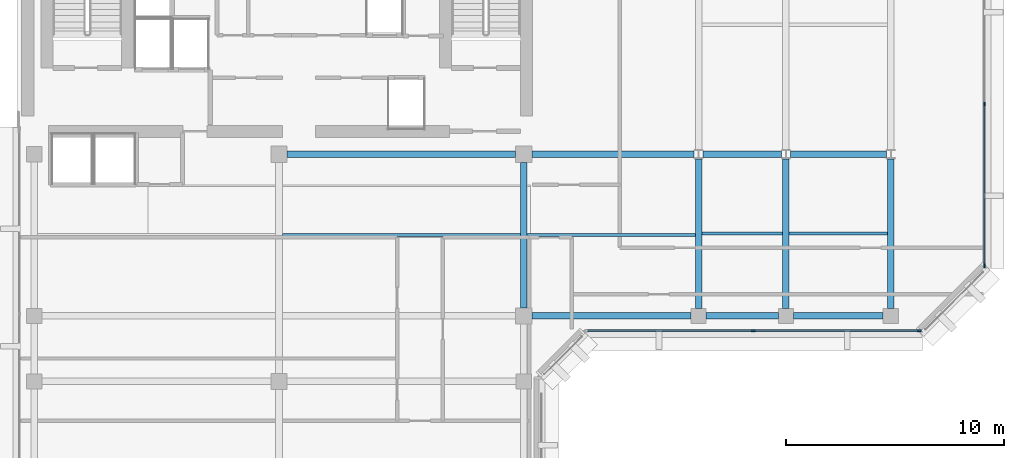
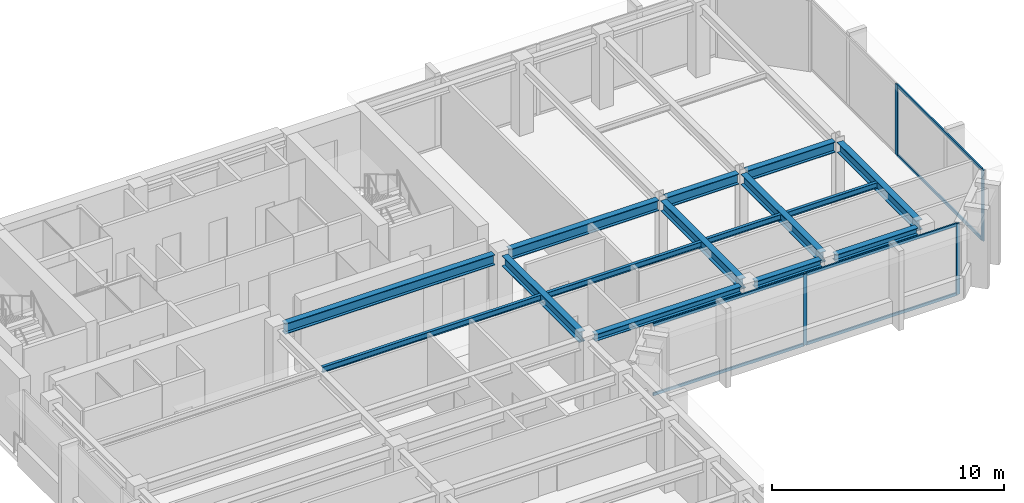
# One storey, part 3 of 11: 15 beams, 10 members, 2 elements without a shape of their own.
"""IFC4 building model written with IfcOpenShell, lengths in metres."""

from ifc_helpers import new_model, si_unit, direction, frame, origin, origin_2d, place, context, subcontext, project, spatial, rectangle, i_section, extrude, material, layer, layer_set, material_profile, profile_set, type_object, element, aggregate, save


model = new_model("IFC4")

# Units and contexts
model_context = context("Model", 3, precision=1e-05, world=origin(), true_north=direction((0.0, 1.0)))
body_context = subcontext(model_context, "Body", "Model", "MODEL_VIEW")
ifc_project = project(units=[si_unit("LENGTHUNIT", "METRE"), si_unit("AREAUNIT", "SQUARE_METRE"), si_unit("VOLUMEUNIT", "CUBIC_METRE"), si_unit("PLANEANGLEUNIT", "RADIAN"), si_unit("MASSUNIT", "GRAM", prefix="KILO")], contexts=[model_context])

# Site, building, storey
site_placement = place(None, origin())
site = spatial("IfcSite", under=ifc_project, at=site_placement, CompositionType="ELEMENT")
building_placement = place(site_placement, origin())
building = spatial("IfcBuilding", under=site, at=building_placement, Name="Kefirva Bronze Tower", CompositionType="ELEMENT")
storey_placement = place(building_placement, frame((0.0, 0.0, 319.77001953125)))
storey = spatial("IfcBuildingStorey", under=building, at=storey_placement, Name="L78", CompositionType="ELEMENT", Elevation=319.77001953125)

# Curtain wall, members
ifc_material_1 = material(Name="Bronze anodised aluminium", Category="aluminium")
ifc_layer = layer(ifc_material_1, 0.179931640625, Name="Bronze anodised aluminium")
ifc_layer_set = layer_set([ifc_layer], Name="Bronze anodised aluminium")
curtain_wall_type = type_object("IfcCurtainWallType", Name="Unitised Bronze Ribbon Curtain Wall Zone 4", PredefinedType="USERDEFINED", material=ifc_layer_set)
curtain_wall_1_placement = place(storey_placement, origin())
curtain_wall_1 = element("IfcCurtainWall", 1, at=curtain_wall_1_placement, inside=storey, type_object=curtain_wall_type, Name="L78 Curtain Wall 2", ObjectType="UNITISED CURTAIN WALL", PredefinedType="USERDEFINED")
ifc_material_profile_1 = material_profile(ifc_material_1, rectangle(XDim=0.074951171875, YDim=0.179931640625, at=origin_2d()), Name="ALU 75x180")
ifc_profile_set_1 = profile_set([ifc_material_profile_1], Name="Bronze anodised aluminium")
member_type_1 = type_object("IfcMemberType", Name="Bronze Mullion 75x180", PredefinedType="MULLION", material=ifc_profile_set_1)
member_1_placement = place(storey_placement, frame((33.699951171875, 25.1201171875, 0.0), z_axis=(0.0, 0.0, 1.0), x_axis=(0.0, 1.0, 0.0)))
member_1 = element("IfcMember", 2, at=member_1_placement, type_object=member_type_1, Name="CW-04 mullion 2", PredefinedType="MULLION", context=body_context, shape_type="SweptSolid", body=[
    extrude(rectangle(XDim=0.074951171875, YDim=0.179931640625, at=origin_2d()), origin(), (0.0, 0.0, 1.0), 3.739990234375),
])
member_2_placement = place(storey_placement, frame((41.3076171875, 25.1201171875, 0.0), z_axis=(0.0, 0.0, 1.0), x_axis=(0.0, 1.0, 0.0)))
member_2 = element("IfcMember", 3, at=member_2_placement, type_object=member_type_1, Name="CW-04 mullion 3", PredefinedType="MULLION", context=body_context, shape_type="SweptSolid", body=[
    extrude(rectangle(XDim=0.074951171875, YDim=0.179931640625, at=origin_2d()), origin(), (0.0, 0.0, 1.0), 3.739990234375),
])

curtain_wall_2_placement = place(storey_placement, origin())
curtain_wall_2 = element("IfcCurtainWall", 4, at=curtain_wall_2_placement, inside=storey, type_object=curtain_wall_type, Name="L78 Curtain Wall 3", ObjectType="UNITISED CURTAIN WALL", PredefinedType="USERDEFINED")
member_3_placement = place(storey_placement, frame((44.280029296875, 28.092529296875, 0.0), z_axis=(0.0, 0.0, 1.0), x_axis=(-1.0, 0.0, 0.0)))
member_3 = element("IfcMember", 5, at=member_3_placement, type_object=member_type_1, Name="CW-04 mullion 1", PredefinedType="MULLION", context=body_context, shape_type="SweptSolid", body=[
    extrude(rectangle(XDim=0.074951171875, YDim=0.179931640625, at=origin_2d()), origin(), (0.0, 0.0, 1.0), 3.739990234375),
])
member_4_placement = place(storey_placement, frame((44.280029296875, 35.5, 0.0), z_axis=(0.0, 0.0, 1.0), x_axis=(-1.0, 0.0, 0.0)))
member_4 = element("IfcMember", 6, at=member_4_placement, type_object=member_type_1, Name="CW-04 mullion 2", PredefinedType="MULLION", context=body_context, shape_type="SweptSolid", body=[
    extrude(rectangle(XDim=0.074951171875, YDim=0.179931640625, at=origin_2d()), origin(), (0.0, 0.0, 1.0), 3.739990234375),
])

# Member
ifc_material_profile_2 = material_profile(ifc_material_1, rectangle(XDim=0.074951171875, YDim=0.14990234375, at=origin_2d()), Name="ALU 75x150")
ifc_profile_set_2 = profile_set([ifc_material_profile_2], Name="Bronze anodised aluminium")
member_type_2 = type_object("IfcMemberType", Name="Bronze Transom 75x150", PredefinedType="USERDEFINED", material=ifc_profile_set_2)
member_5_placement = place(storey_placement, frame((26.1298828125, 25.1201171875, 0.03759765625), z_axis=(1.0, 0.0, 0.0), x_axis=(0.0, 1.0, 0.0)))
member_5 = element("IfcMember", 7, at=member_5_placement, type_object=member_type_2, Name="CW-04 transom 1.1", ObjectType="TRANSOM", PredefinedType="USERDEFINED", context=body_context, shape_type="SweptSolid", body=[
    extrude(rectangle(XDim=0.074951171875, YDim=0.14990234375, at=origin_2d()), origin(), (0.0, 0.0, 1.0), 7.53271484375),
])

member_6_placement = place(storey_placement, frame((26.1298828125, 25.1201171875, 3.702392578125), z_axis=(1.0, 0.0, 0.0), x_axis=(0.0, 1.0, 0.0)))
member_6 = element("IfcMember", 8, at=member_6_placement, type_object=member_type_2, Name="CW-04 transom 1.2", ObjectType="TRANSOM", PredefinedType="USERDEFINED", context=body_context, shape_type="SweptSolid", body=[
    extrude(rectangle(XDim=0.074951171875, YDim=0.14990234375, at=origin_2d()), origin(), (0.0, 0.0, 1.0), 7.53271484375),
])

member_7_placement = place(storey_placement, frame((33.737548828125, 25.1201171875, 0.03759765625), z_axis=(1.0, 0.0, 0.0), x_axis=(0.0, 1.0, 0.0)))
member_7 = element("IfcMember", 9, at=member_7_placement, type_object=member_type_2, Name="CW-04 transom 2.1", ObjectType="TRANSOM", PredefinedType="USERDEFINED", context=body_context, shape_type="SweptSolid", body=[
    extrude(rectangle(XDim=0.074951171875, YDim=0.14990234375, at=origin_2d()), origin(), (0.0, 0.0, 1.0), 7.532470703125),
])

member_8_placement = place(storey_placement, frame((33.737548828125, 25.1201171875, 3.702392578125), z_axis=(1.0, 0.0, 0.0), x_axis=(0.0, 1.0, 0.0)))
member_8 = element("IfcMember", 10, at=member_8_placement, type_object=member_type_2, Name="CW-04 transom 2.2", ObjectType="TRANSOM", PredefinedType="USERDEFINED", context=body_context, shape_type="SweptSolid", body=[
    extrude(rectangle(XDim=0.074951171875, YDim=0.14990234375, at=origin_2d()), origin(), (0.0, 0.0, 1.0), 7.532470703125),
])

aggregate(curtain_wall_1, [member_1, member_2, member_5, member_6, member_7, member_8])

member_9_placement = place(storey_placement, frame((44.280029296875, 28.1298828125, 0.03759765625), z_axis=(0.0, 1.0, 0.0), x_axis=(-1.0, 0.0, 0.0)))
member_9 = element("IfcMember", 11, at=member_9_placement, type_object=member_type_2, Name="CW-04 transom 1.1", ObjectType="TRANSOM", PredefinedType="USERDEFINED", context=body_context, shape_type="SweptSolid", body=[
    extrude(rectangle(XDim=0.074951171875, YDim=0.14990234375, at=origin_2d()), origin(), (0.0, 0.0, 1.0), 7.33251953125),
])

member_10_placement = place(storey_placement, frame((44.280029296875, 28.1298828125, 3.702392578125), z_axis=(0.0, 1.0, 0.0), x_axis=(-1.0, 0.0, 0.0)))
member_10 = element("IfcMember", 12, at=member_10_placement, type_object=member_type_2, Name="CW-04 transom 1.2", ObjectType="TRANSOM", PredefinedType="USERDEFINED", context=body_context, shape_type="SweptSolid", body=[
    extrude(rectangle(XDim=0.074951171875, YDim=0.14990234375, at=origin_2d()), origin(), (0.0, 0.0, 1.0), 7.33251953125),
])

aggregate(curtain_wall_2, [member_3, member_4, member_9, member_10])

# Beams
ifc_material_2 = material(Name="Steel S355", Category="steel")
ifc_material_profile_3 = material_profile(ifc_material_2, i_section(OverallWidth=0.14990234375, OverallDepth=0.300048828125, WebThickness=0.007080078125, FlangeThickness=0.0107421875, at=origin_2d()), Name="IPE 300")
ifc_profile_set_3 = profile_set([ifc_material_profile_3], Name="Steel S355")
beam_type_1 = type_object("IfcBeamType", Name="Steel Floor Joist IPE 300", PredefinedType="JOIST", material=ifc_profile_set_3)
beam_1_placement = place(storey_placement, frame((12.14990234375, 29.5, 3.590087890625), z_axis=(1.0, 0.0, 0.0), x_axis=(0.0, 1.0, 0.0)))
element("IfcBeam", 13, at=beam_1_placement, inside=storey, type_object=beam_type_1, Name="L78 JST-L78-12-295", PredefinedType="JOIST", context=body_context, shape_type="SweptSolid", body=[
    extrude(i_section(OverallWidth=0.14990234375, OverallDepth=0.300048828125, WebThickness=0.007080078125, FlangeThickness=0.0107421875, at=origin_2d()), origin(), (0.0, 0.0, 1.0), 10.900146484375),
])
beam_2_placement = place(storey_placement, frame((23.35009765625, 29.5, 3.590087890625), z_axis=(1.0, 0.0, 0.0), x_axis=(0.0, 1.0, 0.0)))
element("IfcBeam", 14, at=beam_2_placement, inside=storey, type_object=beam_type_1, Name="L78 JST-L78-23-295", PredefinedType="JOIST", context=body_context, shape_type="SweptSolid", body=[
    extrude(i_section(OverallWidth=0.14990234375, OverallDepth=0.300048828125, WebThickness=0.007080078125, FlangeThickness=0.0107421875, at=origin_2d()), origin(), (0.0, 0.0, 1.0), 7.699951171875),
])
beam_3_placement = place(storey_placement, frame((31.35009765625, 29.571044921875, 3.590087890625), z_axis=(1.0, 0.0, 0.0), x_axis=(0.0, 1.0, 0.0)))
element("IfcBeam", 15, at=beam_3_placement, inside=storey, type_object=beam_type_1, Name="L78 JST-L78-31-295", PredefinedType="JOIST", context=body_context, shape_type="SweptSolid", body=[
    extrude(i_section(OverallWidth=0.14990234375, OverallDepth=0.300048828125, WebThickness=0.007080078125, FlangeThickness=0.0107421875, at=origin_2d()), origin(), (0.0, 0.0, 1.0), 3.699951171875),
])
beam_4_placement = place(storey_placement, frame((35.35009765625, 29.571044921875, 3.590087890625), z_axis=(1.0, 0.0, 0.0), x_axis=(0.0, 1.0, 0.0)))
element("IfcBeam", 16, at=beam_4_placement, inside=storey, type_object=beam_type_1, Name="L78 JST-L78-35-295", PredefinedType="JOIST", context=body_context, shape_type="SweptSolid", body=[
    extrude(i_section(OverallWidth=0.14990234375, OverallDepth=0.300048828125, WebThickness=0.007080078125, FlangeThickness=0.0107421875, at=origin_2d()), origin(), (0.0, 0.0, 1.0), 4.5),
])
ifc_material_profile_4 = material_profile(ifc_material_2, i_section(OverallWidth=0.300048828125, OverallDepth=0.550048828125, WebThickness=0.014892578125, FlangeThickness=0.029052734375, at=origin_2d()), Name="HEB 550")
ifc_profile_set_4 = profile_set([ifc_material_profile_4], Name="Steel S355")
beam_type_2 = type_object("IfcBeamType", Name="Steel Girder HEB 550", PredefinedType="USERDEFINED", material=ifc_profile_set_4)
beam_5_placement = place(storey_placement, frame((12.3701171875, 33.199951171875, 3.465087890625), z_axis=(1.0, 0.0, 0.0), x_axis=(0.0, 1.0, 0.0)))
element("IfcBeam", 17, at=beam_5_placement, inside=storey, type_object=beam_type_2, Name="L78 BM-L78-EW-12-332", ObjectType="GIRDER", PredefinedType="USERDEFINED", context=body_context, shape_type="SweptSolid", body=[
    extrude(i_section(OverallWidth=0.300048828125, OverallDepth=0.550048828125, WebThickness=0.014892578125, FlangeThickness=0.029052734375, at=origin_2d()), origin(), (0.0, 0.0, 1.0), 10.4599609375),
])
beam_6_placement = place(storey_placement, frame((23.570068359375, 33.199951171875, 3.465087890625), z_axis=(1.0, 0.0, 0.0), x_axis=(0.0, 1.0, 0.0)))
element("IfcBeam", 18, at=beam_6_placement, inside=storey, type_object=beam_type_2, Name="L78 BM-L78-EW-23-332", ObjectType="GIRDER", PredefinedType="USERDEFINED", context=body_context, shape_type="SweptSolid", body=[
    extrude(i_section(OverallWidth=0.300048828125, OverallDepth=0.550048828125, WebThickness=0.014892578125, FlangeThickness=0.029052734375, at=origin_2d()), origin(), (0.0, 0.0, 1.0), 7.427001953125),
])
beam_7_placement = place(storey_placement, frame((31.403076171875, 33.199951171875, 3.465087890625), z_axis=(1.0, 0.0, 0.0), x_axis=(0.0, 1.0, 0.0)))
element("IfcBeam", 19, at=beam_7_placement, inside=storey, type_object=beam_type_2, Name="L78 BM-L78-EW-31-332", ObjectType="GIRDER", PredefinedType="USERDEFINED", context=body_context, shape_type="SweptSolid", body=[
    extrude(i_section(OverallWidth=0.300048828125, OverallDepth=0.550048828125, WebThickness=0.014892578125, FlangeThickness=0.029052734375, at=origin_2d()), origin(), (0.0, 0.0, 1.0), 3.593994140625),
])
beam_8_placement = place(storey_placement, frame((35.403076171875, 33.199951171875, 3.465087890625), z_axis=(1.0, 0.0, 0.0), x_axis=(0.0, 1.0, 0.0)))
element("IfcBeam", 20, at=beam_8_placement, inside=storey, type_object=beam_type_2, Name="L78 BM-L78-EW-35-332", ObjectType="GIRDER", PredefinedType="USERDEFINED", context=body_context, shape_type="SweptSolid", body=[
    extrude(i_section(OverallWidth=0.300048828125, OverallDepth=0.550048828125, WebThickness=0.014892578125, FlangeThickness=0.029052734375, at=origin_2d()), origin(), (0.0, 0.0, 1.0), 4.39404296875),
])
beam_9_placement = place(storey_placement, frame((23.199951171875, 26.169921875, 3.465087890625), z_axis=(0.0, 1.0, 0.0), x_axis=(-1.0, 0.0, 0.0)))
element("IfcBeam", 21, at=beam_9_placement, inside=storey, type_object=beam_type_2, Name="L78 BM-L78-NS-232-25", ObjectType="GIRDER", PredefinedType="USERDEFINED", context=body_context, shape_type="SweptSolid", body=[
    extrude(i_section(OverallWidth=0.300048828125, OverallDepth=0.550048828125, WebThickness=0.014892578125, FlangeThickness=0.029052734375, at=origin_2d()), origin(), (0.0, 0.0, 1.0), 6.66015625),
])
for number, where, z_axis, x_axis, name in (
    (22, (31.199951171875, 26.14990234375, 3.465087890625), (0.0, 1.0, 0.0), (-1.0, 0.0, 0.0), "L78 BM-L78-NS-312-25"),
    (23, (35.199951171875, 26.14990234375, 3.465087890625), (0.0, 1.0, 0.0), (-1.0, 0.0, 0.0), "L78 BM-L78-NS-352-25"),
    (24, (40.0, 26.14990234375, 3.465087890625), (0.0, 1.0, 0.0), (-1.0, 0.0, 0.0), "L78 BM-L78-NS-400-25"),
):
    element("IfcBeam", number, at=place(storey_placement, frame(where, z_axis=z_axis, x_axis=x_axis)), inside=storey, type_object=beam_type_2, Name=name, ObjectType="GIRDER", PredefinedType="USERDEFINED", context=body_context, shape_type="SweptSolid", body=[
        extrude(i_section(OverallWidth=0.300048828125, OverallDepth=0.550048828125, WebThickness=0.014892578125, FlangeThickness=0.029052734375, at=origin_2d()), origin(), (0.0, 0.0, 1.0), 6.842041015625),
    ])
ifc_material_profile_5 = material_profile(ifc_material_2, i_section(OverallWidth=0.300048828125, OverallDepth=0.360107421875, WebThickness=0.012451171875, FlangeThickness=0.0224609375, at=origin_2d()), Name="HEB 360")
ifc_profile_set_5 = profile_set([ifc_material_profile_5], Name="Steel S355")
beam_type_3 = type_object("IfcBeamType", Name="Steel Spandrel HEB 360 Ext", PredefinedType="SPANDREL", material=ifc_profile_set_5)
beam_10_placement = place(storey_placement, frame((23.570068359375, 25.800048828125, 3.56005859375), z_axis=(1.0, 0.0, 0.0), x_axis=(0.0, 1.0, 0.0)))
element("IfcBeam", 25, at=beam_10_placement, inside=storey, type_object=beam_type_3, Name="L78 BM-L78-EW-23-258", PredefinedType="SPANDREL", context=body_context, shape_type="SweptSolid", body=[
    extrude(i_section(OverallWidth=0.300048828125, OverallDepth=0.360107421875, WebThickness=0.012451171875, FlangeThickness=0.0224609375, at=origin_2d()), origin(), (0.0, 0.0, 1.0), 7.280029296875),
])
beam_11_placement = place(storey_placement, frame((31.550048828125, 25.800048828125, 3.56005859375), z_axis=(1.0, 0.0, 0.0), x_axis=(0.0, 1.0, 0.0)))
element("IfcBeam", 26, at=beam_11_placement, inside=storey, type_object=beam_type_3, Name="L78 BM-L78-EW-31-258", PredefinedType="SPANDREL", context=body_context, shape_type="SweptSolid", body=[
    extrude(i_section(OverallWidth=0.300048828125, OverallDepth=0.360107421875, WebThickness=0.012451171875, FlangeThickness=0.0224609375, at=origin_2d()), origin(), (0.0, 0.0, 1.0), 3.300048828125),
])
beam_12_placement = place(storey_placement, frame((35.550048828125, 25.800048828125, 3.56005859375), z_axis=(1.0, 0.0, 0.0), x_axis=(0.0, 1.0, 0.0)))
element("IfcBeam", 27, at=beam_12_placement, inside=storey, type_object=beam_type_3, Name="L78 BM-L78-EW-35-258", PredefinedType="SPANDREL", context=body_context, shape_type="SweptSolid", body=[
    extrude(i_section(OverallWidth=0.300048828125, OverallDepth=0.360107421875, WebThickness=0.012451171875, FlangeThickness=0.0224609375, at=origin_2d()), origin(), (0.0, 0.0, 1.0), 4.099853515625),
])

save(model, "model.ifc")
